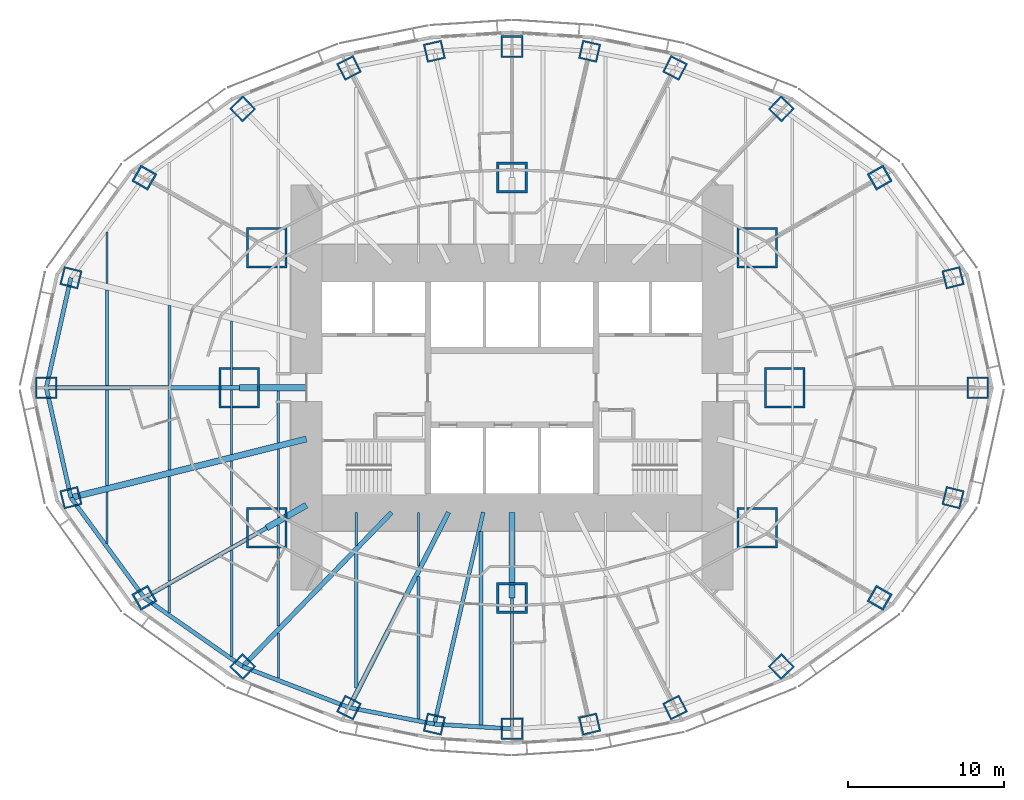
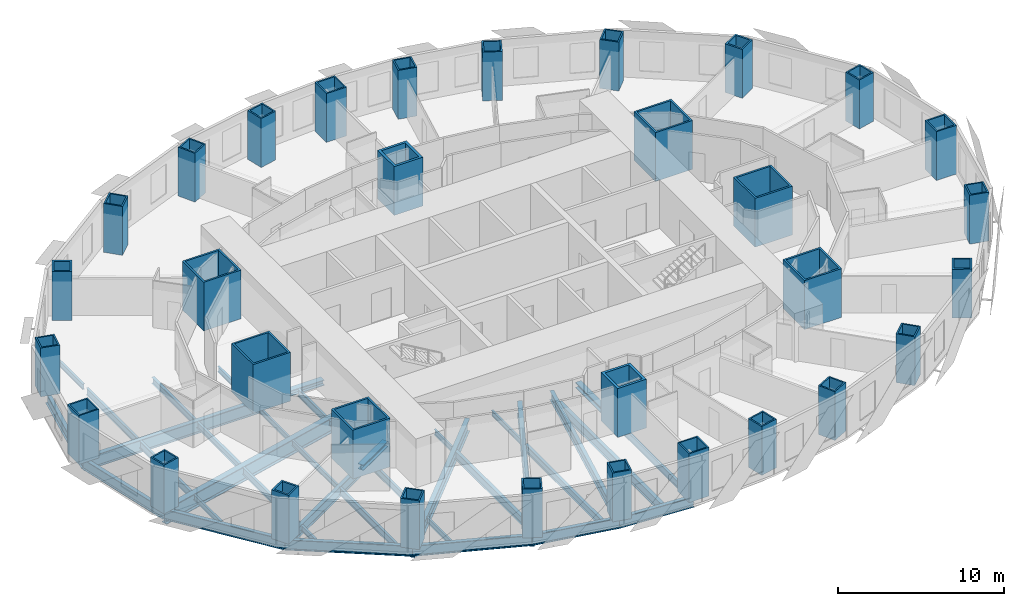
# One storey, part 1 of 15: 38 beams, 32 columns.
"""IFC4 building model written with IfcOpenShell, lengths in metres."""

from ifc_helpers import new_model, si_unit, direction, frame, origin, origin_2d, place, context, subcontext, project, spatial, rectangle, hollow_rectangle, i_section, extrude, material, material_profile, profile_set, type_object, element, save


model = new_model("IFC4")

# Units and contexts
model_context = context("Model", 3, precision=1e-05, world=origin(), true_north=direction((0.0, 1.0)))
body_context = subcontext(model_context, "Body", "Model", "MODEL_VIEW")
ifc_project = project(units=[si_unit("LENGTHUNIT", "METRE"), si_unit("AREAUNIT", "SQUARE_METRE"), si_unit("VOLUMEUNIT", "CUBIC_METRE"), si_unit("PLANEANGLEUNIT", "RADIAN"), si_unit("MASSUNIT", "GRAM", prefix="KILO")], contexts=[model_context])

# Site, building, storey
site_placement = place(None, origin())
site = spatial("IfcSite", under=ifc_project, at=site_placement, CompositionType="ELEMENT")
building_placement = place(site_placement, origin())
building = spatial("IfcBuilding", under=site, at=building_placement, Name="Lantaw Convention Tower", CompositionType="ELEMENT")
storey_placement = place(building_placement, frame((0.0, 0.0, 76.60009765625)))
storey = spatial("IfcBuildingStorey", under=building, at=storey_placement, Name="L17", CompositionType="ELEMENT", Elevation=76.60009765625)

# Columns
ifc_material_1 = material(Name="Steel EN 10025-3 S460N", Category="steel")
ifc_material_profile_1 = material_profile(ifc_material_1, hollow_rectangle(XDim=2.0, YDim=2.0, WallThickness=0.169921875, at=origin_2d()), Name="BOX2000X170")
ifc_material_2 = material(Name="Concrete C60/75", Category="concrete")
ifc_material_profile_2 = material_profile(ifc_material_2, rectangle(XDim=1.659912109375, YDim=1.659912109375, at=origin_2d()), Name="Concrete fill of BOX2000X170")
ifc_profile_set_1 = profile_set([ifc_material_profile_1, ifc_material_profile_2], Name="Steel EN 10025-3 S460N")
column_type_1 = type_object("IfcColumnType", Name="Column MC BOX2000X170", PredefinedType="COLUMN", material=ifc_profile_set_1)
for number, where, z_axis, x_axis, name in (
    (1, (0.0, 13.5, 0.0), (0.0, 0.0, 1.0), (1.0, 0.0, 0.0), "Mega column M3"),
    (2, (0.0, -13.5, 0.0), (0.0, 0.0, 1.0), (1.0, 0.0, 0.0), "Mega column M7"),
):
    element("IfcColumn", number, at=place(storey_placement, frame(where, z_axis=z_axis, x_axis=x_axis)), inside=storey, type_object=column_type_1, Name=name, PredefinedType="COLUMN", context=body_context, shape_type="SweptSolid", body=[
        extrude(hollow_rectangle(XDim=2.0, YDim=2.0, WallThickness=0.169921875, at=origin_2d()), origin(), (0.0, 0.0, 1.0), 3.599853515625),
    ])
ifc_material_profile_3 = material_profile(ifc_material_1, hollow_rectangle(XDim=2.60009765625, YDim=2.60009765625, WallThickness=0.1298828125, at=origin_2d()), Name="BOX2600X130")
ifc_material_profile_4 = material_profile(ifc_material_2, rectangle(XDim=2.340087890625, YDim=2.340087890625, at=origin_2d()), Name="Concrete fill of BOX2600X130")
ifc_profile_set_2 = profile_set([ifc_material_profile_3, ifc_material_profile_4], Name="Steel EN 10025-3 S460N")
column_type_2 = type_object("IfcColumnType", Name="Column MC BOX2600X130", PredefinedType="COLUMN", material=ifc_profile_set_2)
for number, where, z_axis, x_axis, name in (
    (3, (17.5, 0.0, 0.0), (0.0, 0.0, 1.0), (1.0, 0.0, 0.0), "Mega column M1"),
    (4, (15.75, 9.0, 0.0), (0.0, 0.0, 1.0), (1.0, 0.0, 0.0), "Mega column M2"),
    (5, (-15.75, 9.0, 0.0), (0.0, 0.0, 1.0), (1.0, 0.0, 0.0), "Mega column M4"),
    (6, (-17.5, 0.0, 0.0), (0.0, 0.0, 1.0), (1.0, 0.0, 0.0), "Mega column M5"),
    (7, (-15.75, -9.0, 0.0), (0.0, 0.0, 1.0), (1.0, 0.0, 0.0), "Mega column M6"),
    (8, (15.75, -9.0, 0.0), (0.0, 0.0, 1.0), (1.0, 0.0, 0.0), "Mega column M8"),
):
    element("IfcColumn", number, at=place(storey_placement, frame(where, z_axis=z_axis, x_axis=x_axis)), inside=storey, type_object=column_type_2, Name=name, PredefinedType="COLUMN", context=body_context, shape_type="SweptSolid", body=[
        extrude(hollow_rectangle(XDim=2.60009765625, YDim=2.60009765625, WallThickness=0.1298828125, at=origin_2d()), origin(), (0.0, 0.0, 1.0), 3.599853515625),
    ])
ifc_material_profile_5 = material_profile(ifc_material_1, hollow_rectangle(XDim=1.199951171875, YDim=1.199951171875, WallThickness=0.10009765625, at=origin_2d()), Name="BOX1200X100")
ifc_material_profile_6 = material_profile(ifc_material_2, rectangle(XDim=1.0, YDim=1.0, at=origin_2d()), Name="Concrete fill of BOX1200X100")
ifc_profile_set_3 = profile_set([ifc_material_profile_5, ifc_material_profile_6], Name="Steel EN 10025-3 S460N")
column_type_3 = type_object("IfcColumnType", Name="Column PC BOX1200X100", PredefinedType="COLUMN", material=ifc_profile_set_3)
for number, where, z_axis, x_axis, name in (
    (9, (28.31787109375, 7.060302734375, 0.0), (0.0, 0.0, 1.0), (0.970295726276, 0.2419218956, 0.0), "Perimeter column P2"),
    (10, (17.290771484375, 17.9052734375, 0.0), (0.0, 0.0, 1.0), (0.694658370459, 0.719339800339, 0.0), "Perimeter column P4"),
    (11, (10.462646484375, 20.533935546875, 0.0), (0.0, 0.0, 1.0), (0.45399049974, 0.891006524188, 0.0), "Perimeter column P5"),
    (12, (4.986328125, 21.59814453125, 0.0), (0.0, 0.0, 1.0), (0.224951054344, 0.974370064785, 0.0), "Perimeter column P6"),
    (13, (-4.986328125, 21.59814453125, 0.0), (0.0, 0.0, 1.0), (0.974370064785, 0.224951054344, 0.0), "Perimeter column P8"),
    (14, (-10.462646484375, 20.533935546875, 0.0), (0.0, 0.0, 1.0), (0.891006524188, 0.45399049974, 0.0), "Perimeter column P9"),
    (15, (-17.290771484375, 17.9052734375, 0.0), (0.0, 0.0, 1.0), (0.719339800339, 0.694658370459, 0.0), "Perimeter column P10"),
    (16, (-28.31787109375, 7.060302734375, 0.0), (0.0, 0.0, 1.0), (0.2419218956, 0.970295726276, 0.0), "Perimeter column P12"),
    (17, (-28.31787109375, -7.060302734375, 0.0), (0.0, 0.0, 1.0), (0.970295726276, 0.2419218956, 0.0), "Perimeter column P14"),
    (18, (-17.290771484375, -17.9052734375, 0.0), (0.0, 0.0, 1.0), (0.694658370459, 0.719339800339, 0.0), "Perimeter column P16"),
    (19, (-10.462646484375, -20.533935546875, 0.0), (0.0, 0.0, 1.0), (0.45399049974, 0.891006524188, 0.0), "Perimeter column P17"),
    (20, (-4.986328125, -21.59814453125, 0.0), (0.0, 0.0, 1.0), (0.224951054344, 0.974370064785, 0.0), "Perimeter column P18"),
    (21, (4.986328125, -21.59814453125, 0.0), (0.0, 0.0, 1.0), (0.974370064785, 0.224951054344, 0.0), "Perimeter column P20"),
    (22, (10.462646484375, -20.533935546875, 0.0), (0.0, 0.0, 1.0), (0.891006524188, 0.45399049974, 0.0), "Perimeter column P21"),
    (23, (17.290771484375, -17.9052734375, 0.0), (0.0, 0.0, 1.0), (0.719339800339, 0.694658370459, 0.0), "Perimeter column P22"),
    (24, (28.31787109375, -7.060302734375, 0.0), (0.0, 0.0, 1.0), (0.2419218956, 0.970295726276, 0.0), "Perimeter column P24"),
):
    element("IfcColumn", number, at=place(storey_placement, frame(where, z_axis=z_axis, x_axis=x_axis)), inside=storey, type_object=column_type_3, Name=name, PredefinedType="COLUMN", context=body_context, shape_type="SweptSolid", body=[
        extrude(hollow_rectangle(XDim=1.199951171875, YDim=1.199951171875, WallThickness=0.10009765625, at=origin_2d()), origin(), (0.0, 0.0, 1.0), 3.599853515625),
    ])
ifc_material_profile_7 = material_profile(ifc_material_1, hollow_rectangle(XDim=1.199951171875, YDim=1.199951171875, WallThickness=0.1201171875, at=origin_2d()), Name="BOX1200X120")
ifc_material_profile_8 = material_profile(ifc_material_2, rectangle(XDim=0.9599609375, YDim=0.9599609375, at=origin_2d()), Name="Concrete fill of BOX1200X120")
ifc_profile_set_4 = profile_set([ifc_material_profile_7, ifc_material_profile_8], Name="Steel EN 10025-3 S460N")
column_type_4 = type_object("IfcColumnType", Name="Column PC BOX1200X120", PredefinedType="COLUMN", material=ifc_profile_set_4)
for number, where, z_axis, x_axis, name in (
    (25, (23.60498046875, 13.488525390625, 0.0), (0.0, 0.0, 1.0), (0.86824298017, 0.496139221777, 0.0), "Perimeter column P3"),
    (26, (-23.60498046875, 13.488525390625, 0.0), (0.0, 0.0, 1.0), (0.496139221777, 0.86824298017, 0.0), "Perimeter column P11"),
    (27, (-23.60498046875, -13.488525390625, 0.0), (0.0, 0.0, 1.0), (0.86824298017, 0.496139221777, 0.0), "Perimeter column P15"),
    (28, (23.60498046875, -13.488525390625, 0.0), (0.0, 0.0, 1.0), (0.496139221777, 0.86824298017, 0.0), "Perimeter column P23"),
):
    element("IfcColumn", number, at=place(storey_placement, frame(where, z_axis=z_axis, x_axis=x_axis)), inside=storey, type_object=column_type_4, Name=name, PredefinedType="COLUMN", context=body_context, shape_type="SweptSolid", body=[
        extrude(hollow_rectangle(XDim=1.199951171875, YDim=1.199951171875, WallThickness=0.1201171875, at=origin_2d()), origin(), (0.0, 0.0, 1.0), 3.599853515625),
    ])
ifc_material_profile_9 = material_profile(ifc_material_1, hollow_rectangle(XDim=1.39990234375, YDim=1.39990234375, WallThickness=0.10009765625, at=origin_2d()), Name="BOX1400X100")
ifc_material_profile_10 = material_profile(ifc_material_2, rectangle(XDim=1.199951171875, YDim=1.199951171875, at=origin_2d()), Name="Concrete fill of BOX1400X100")
ifc_profile_set_5 = profile_set([ifc_material_profile_9, ifc_material_profile_10], Name="Steel EN 10025-3 S460N")
column_type_5 = type_object("IfcColumnType", Name="Column PC BOX1400X100", PredefinedType="COLUMN", material=ifc_profile_set_5)
for number, where, z_axis, x_axis, name in (
    (29, (29.89990234375, 0.0, 0.0), (0.0, 0.0, 1.0), (1.0, 0.0, 0.0), "Perimeter column P1"),
    (30, (0.0, 21.89990234375, 0.0), (0.0, 0.0, 1.0), (1.0, 0.0, 0.0), "Perimeter column P7"),
    (31, (-29.89990234375, 0.0, 0.0), (0.0, 0.0, 1.0), (1.0, 0.0, 0.0), "Perimeter column P13"),
    (32, (0.0, -21.89990234375, 0.0), (0.0, 0.0, 1.0), (1.0, 0.0, 0.0), "Perimeter column P19"),
):
    element("IfcColumn", number, at=place(storey_placement, frame(where, z_axis=z_axis, x_axis=x_axis)), inside=storey, type_object=column_type_5, Name=name, PredefinedType="COLUMN", context=body_context, shape_type="SweptSolid", body=[
        extrude(hollow_rectangle(XDim=1.39990234375, YDim=1.39990234375, WallThickness=0.10009765625, at=origin_2d()), origin(), (0.0, 0.0, 1.0), 3.599853515625),
    ])

# Beams
ifc_material_3 = material(Name="Steel ASTM A992", Category="steel")
ifc_material_profile_11 = material_profile(ifc_material_3, i_section(OverallWidth=0.2666015625, OverallDepth=0.76953125, WebThickness=0.015625, FlangeThickness=0.025390625, FilletRadius=0.0126953125, at=origin_2d()), Name="W30X132")
ifc_profile_set_6 = profile_set([ifc_material_profile_11], Name="Steel ASTM A992")
beam_type_1 = type_object("IfcBeamType", Name="Beam E W30X132", PredefinedType="SPANDREL", material=ifc_profile_set_6)
for number, where, z_axis, x_axis, name in (
    (33, (-28.31787109375, 7.060302734375, -0.534912109375), (-0.218652184873, -0.975802860239, 0.0), (0.975802860239, -0.218652184873, 0.0), "Edge beam 12"),
    (34, (-29.89990234375, 0.0, -0.534912109375), (0.218652184873, -0.975802860239, 0.0), (0.975802860239, 0.218652184873, 0.0), "Edge beam 13"),
):
    element("IfcBeam", number, at=place(storey_placement, frame(where, z_axis=z_axis, x_axis=x_axis)), inside=storey, type_object=beam_type_1, Name=name, PredefinedType="SPANDREL", context=body_context, shape_type="SweptSolid", body=[
        extrude(i_section(OverallWidth=0.2666015625, OverallDepth=0.76953125, WebThickness=0.015625, FlangeThickness=0.025390625, FilletRadius=0.0126953125, at=origin_2d()), origin(), (0.0, 0.0, 1.0), 7.2353515625),
    ])
beam_1_placement = place(storey_placement, frame((-28.31787109375, -7.060302734375, -0.534912109375), z_axis=(0.591270709086, -0.806473154281, 0.0), x_axis=(0.806473154281, 0.591270709086, 0.0)))
element("IfcBeam", 35, at=beam_1_placement, inside=storey, type_object=beam_type_1, Name="Edge beam 14", PredefinedType="SPANDREL", context=body_context, shape_type="SweptSolid", body=[
    extrude(i_section(OverallWidth=0.2666015625, OverallDepth=0.76953125, WebThickness=0.015625, FlangeThickness=0.025390625, FilletRadius=0.0126953125, at=origin_2d()), origin(), (0.0, 0.0, 1.0), 7.970703125),
])
beam_2_placement = place(storey_placement, frame((-23.60498046875, -13.488525390625, -0.534912109375), z_axis=(0.81942686407, -0.57318375277, 0.0), x_axis=(0.57318375277, 0.81942686407, 0.0)))
element("IfcBeam", 36, at=beam_2_placement, inside=storey, type_object=beam_type_1, Name="Edge beam 15", PredefinedType="SPANDREL", context=body_context, shape_type="SweptSolid", body=[
    extrude(i_section(OverallWidth=0.2666015625, OverallDepth=0.76953125, WebThickness=0.015625, FlangeThickness=0.025390625, FilletRadius=0.0126953125, at=origin_2d()), origin(), (0.0, 0.0, 1.0), 7.70556640625),
])
beam_3_placement = place(storey_placement, frame((-17.290771484375, -17.9052734375, -0.534912109375), z_axis=(0.933232900641, -0.359271976588, 0.0), x_axis=(0.359271976588, 0.933232900641, 0.0)))
element("IfcBeam", 37, at=beam_3_placement, inside=storey, type_object=beam_type_1, Name="Edge beam 16", PredefinedType="SPANDREL", context=body_context, shape_type="SweptSolid", body=[
    extrude(i_section(OverallWidth=0.2666015625, OverallDepth=0.76953125, WebThickness=0.015625, FlangeThickness=0.025390625, FilletRadius=0.0126953125, at=origin_2d()), origin(), (0.0, 0.0, 1.0), 7.316650390625),
])
beam_4_placement = place(storey_placement, frame((-10.462646484375, -20.533935546875, -0.534912109375), z_axis=(0.981636565323, -0.190760723474, 0.0), x_axis=(0.190760723474, 0.981636565323, 0.0)))
element("IfcBeam", 38, at=beam_4_placement, inside=storey, type_object=beam_type_1, Name="Edge beam 17", PredefinedType="SPANDREL", context=body_context, shape_type="SweptSolid", body=[
    extrude(i_section(OverallWidth=0.2666015625, OverallDepth=0.76953125, WebThickness=0.015625, FlangeThickness=0.025390625, FilletRadius=0.0126953125, at=origin_2d()), origin(), (0.0, 0.0, 1.0), 5.578857421875),
])
beam_5_placement = place(storey_placement, frame((-4.986328125, -21.59814453125, -0.534912109375), z_axis=(0.998173858406, -0.060406526096, 0.0), x_axis=(0.060406526096, 0.998173858406, 0.0)))
element("IfcBeam", 39, at=beam_5_placement, inside=storey, type_object=beam_type_1, Name="Edge beam 18", PredefinedType="SPANDREL", context=body_context, shape_type="SweptSolid", body=[
    extrude(i_section(OverallWidth=0.2666015625, OverallDepth=0.76953125, WebThickness=0.015625, FlangeThickness=0.025390625, FilletRadius=0.0126953125, at=origin_2d()), origin(), (0.0, 0.0, 1.0), 4.995361328125),
])
ifc_material_profile_12 = material_profile(ifc_material_3, i_section(OverallWidth=0.1650390625, OverallDepth=0.52587890625, WebThickness=0.0087890625, FlangeThickness=0.011474609375, FilletRadius=0.0126953125, at=origin_2d()), Name="W21X44")
ifc_profile_set_7 = profile_set([ifc_material_profile_12], Name="Steel ASTM A992")
beam_type_2 = type_object("IfcBeamType", Name="Beam G W21X44", PredefinedType="BEAM", material=ifc_profile_set_7)
beam_6_placement = place(storey_placement, frame((0.0, -13.5, -0.4130859375), z_axis=(0.0, -1.0, 0.0), x_axis=(1.0, 0.0, 0.0)))
element("IfcBeam", 40, at=beam_6_placement, inside=storey, type_object=beam_type_2, Name="Floor girder on ray 19", PredefinedType="BEAM", context=body_context, shape_type="SweptSolid", body=[
    extrude(i_section(OverallWidth=0.1650390625, OverallDepth=0.52587890625, WebThickness=0.0087890625, FlangeThickness=0.011474609375, FilletRadius=0.0126953125, at=origin_2d()), origin(), (0.0, 0.0, 1.0), 8.39990234375),
])
ifc_material_profile_13 = material_profile(ifc_material_3, i_section(OverallWidth=0.25390625, OverallDepth=0.683349609375, WebThickness=0.012451171875, FlangeThickness=0.01904296875, FilletRadius=0.01513671875, at=origin_2d()), Name="W27X94")
ifc_profile_set_8 = profile_set([ifc_material_profile_13], Name="Steel ASTM A992")
beam_type_3 = type_object("IfcBeamType", Name="Beam G W27X94", PredefinedType="BEAM", material=ifc_profile_set_8)
beam_7_placement = place(storey_placement, frame((-1.846923828125, -8.0, -0.49169921875), z_axis=(-0.224952773175, -0.97436966796, 0.0), x_axis=(0.97436966796, -0.224952773175, 0.0)))
element("IfcBeam", 41, at=beam_7_placement, inside=storey, type_object=beam_type_3, Name="Floor girder on ray 18", PredefinedType="BEAM", context=body_context, shape_type="SweptSolid", body=[
    extrude(i_section(OverallWidth=0.25390625, OverallDepth=0.683349609375, WebThickness=0.012451171875, FlangeThickness=0.01904296875, FilletRadius=0.01513671875, at=origin_2d()), origin(), (0.0, 0.0, 1.0), 13.955810546875),
])
ifc_material_profile_14 = material_profile(ifc_material_3, i_section(OverallWidth=0.2666015625, OverallDepth=0.7568359375, WebThickness=0.013916015625, FlangeThickness=0.019287109375, FilletRadius=0.0126953125, at=origin_2d()), Name="W30X108")
ifc_profile_set_9 = profile_set([ifc_material_profile_14], Name="Steel ASTM A992")
beam_type_4 = type_object("IfcBeamType", Name="Beam G W30X108", PredefinedType="BEAM", material=ifc_profile_set_9)
beam_8_placement = place(storey_placement, frame((-15.75, -9.0, -0.528564453125), z_axis=(-0.868244802791, -0.496136032179, 0.0), x_axis=(0.496136032179, -0.868244802791, 0.0)))
element("IfcBeam", 42, at=beam_8_placement, inside=storey, type_object=beam_type_4, Name="Floor girder on ray 15", PredefinedType="BEAM", context=body_context, shape_type="SweptSolid", body=[
    extrude(i_section(OverallWidth=0.2666015625, OverallDepth=0.7568359375, WebThickness=0.013916015625, FlangeThickness=0.019287109375, FilletRadius=0.0126953125, at=origin_2d()), origin(), (0.0, 0.0, 1.0), 9.046875),
])
ifc_material_profile_15 = material_profile(ifc_material_3, i_section(OverallWidth=0.307373046875, OverallDepth=0.922119140625, WebThickness=0.018310546875, FlangeThickness=0.030029296875, FilletRadius=0.0126953125, at=origin_2d()), Name="W36X182")
ifc_profile_set_10 = profile_set([ifc_material_profile_15], Name="Steel ASTM A992")
beam_type_5 = type_object("IfcBeamType", Name="Beam G W36X182", PredefinedType="BEAM", material=ifc_profile_set_10)
beam_9_placement = place(storey_placement, frame((-17.5, 0.0, -0.611083984375), z_axis=(-1.0, 0.0, 0.0), x_axis=(0.0, -1.0, 0.0)))
element("IfcBeam", 43, at=beam_9_placement, inside=storey, type_object=beam_type_5, Name="Floor girder on ray 13", PredefinedType="BEAM", context=body_context, shape_type="SweptSolid", body=[
    extrude(i_section(OverallWidth=0.307373046875, OverallDepth=0.922119140625, WebThickness=0.018310546875, FlangeThickness=0.030029296875, FilletRadius=0.0126953125, at=origin_2d()), origin(), (0.0, 0.0, 1.0), 12.39990234375),
])
beam_10_placement = place(storey_placement, frame((-7.7255859375, -8.0, -0.611083984375), z_axis=(-0.694649884291, -0.719347995239, 0.0), x_axis=(0.719347995239, -0.694649884291, 0.0)))
element("IfcBeam", 44, at=beam_10_placement, inside=storey, type_object=beam_type_5, Name="Floor girder on ray 16", PredefinedType="BEAM", context=body_context, shape_type="SweptSolid", body=[
    extrude(i_section(OverallWidth=0.307373046875, OverallDepth=0.922119140625, WebThickness=0.018310546875, FlangeThickness=0.030029296875, FilletRadius=0.0126953125, at=origin_2d()), origin(), (0.0, 0.0, 1.0), 13.769775390625),
])
beam_11_placement = place(storey_placement, frame((-4.076171875, -8.0, -0.611083984375), z_axis=(-0.453997016122, -0.891003203896, 0.0), x_axis=(0.891003203896, -0.453997016122, 0.0)))
element("IfcBeam", 45, at=beam_11_placement, inside=storey, type_object=beam_type_5, Name="Floor girder on ray 17", PredefinedType="BEAM", context=body_context, shape_type="SweptSolid", body=[
    extrude(i_section(OverallWidth=0.307373046875, OverallDepth=0.922119140625, WebThickness=0.018310546875, FlangeThickness=0.030029296875, FilletRadius=0.0126953125, at=origin_2d()), origin(), (0.0, 0.0, 1.0), 14.067138671875),
])
ifc_material_profile_16 = material_profile(ifc_material_3, i_section(OverallWidth=0.40380859375, OverallDepth=1.11767578125, WebThickness=0.026123046875, FlangeThickness=0.044921875, FilletRadius=0.02001953125, at=origin_2d()), Name="W44X335")
ifc_profile_set_11 = profile_set([ifc_material_profile_16], Name="Steel ASTM A992")
beam_type_6 = type_object("IfcBeamType", Name="Beam G W44X335", PredefinedType="BEAM", material=ifc_profile_set_11)
beam_12_placement = place(storey_placement, frame((-13.199951171875, -3.291015625, -0.708984375), z_axis=(-0.970296233567, -0.241919860957, 0.0), x_axis=(0.241919860957, -0.970296233567, 0.0)))
element("IfcBeam", 46, at=beam_12_placement, inside=storey, type_object=beam_type_6, Name="Floor girder on ray 14", PredefinedType="BEAM", context=body_context, shape_type="SweptSolid", body=[
    extrude(i_section(OverallWidth=0.40380859375, OverallDepth=1.11767578125, WebThickness=0.026123046875, FlangeThickness=0.044921875, FilletRadius=0.02001953125, at=origin_2d()), origin(), (0.0, 0.0, 1.0), 15.580810546875),
])
ifc_material_profile_17 = material_profile(ifc_material_3, i_section(OverallWidth=0.40380859375, OverallDepth=0.406494140625, WebThickness=0.027099609375, FlangeThickness=0.043701171875, FilletRadius=0.01513671875, at=origin_2d()), Name="W14X233")
ifc_profile_set_12 = profile_set([ifc_material_profile_17], Name="Steel ASTM A992")
beam_type_7 = type_object("IfcBeamType", Name="Beam GM W14X233", PredefinedType="BEAM", material=ifc_profile_set_12)
beam_13_placement = place(storey_placement, frame((-13.199951171875, 0.0, -0.353271484375), z_axis=(-1.0, 0.0, 0.0), x_axis=(0.0, -1.0, 0.0)))
element("IfcBeam", 47, at=beam_13_placement, inside=storey, type_object=beam_type_7, Name="Core link beam on ray 13", PredefinedType="BEAM", context=body_context, shape_type="SweptSolid", body=[
    extrude(i_section(OverallWidth=0.40380859375, OverallDepth=0.406494140625, WebThickness=0.027099609375, FlangeThickness=0.043701171875, FilletRadius=0.01513671875, at=origin_2d()), origin(), (0.0, 0.0, 1.0), 4.300048828125),
])
beam_14_placement = place(storey_placement, frame((-13.199951171875, -7.54296875, -0.353271484375), z_axis=(-0.868263603466, -0.496103129295, 0.0), x_axis=(0.496103129295, -0.868263603466, 0.0)))
element("IfcBeam", 48, at=beam_14_placement, inside=storey, type_object=beam_type_7, Name="Core link beam on ray 15", PredefinedType="BEAM", context=body_context, shape_type="SweptSolid", body=[
    extrude(i_section(OverallWidth=0.40380859375, OverallDepth=0.406494140625, WebThickness=0.027099609375, FlangeThickness=0.043701171875, FilletRadius=0.01513671875, at=origin_2d()), origin(), (0.0, 0.0, 1.0), 2.93701171875),
])
beam_15_placement = place(storey_placement, frame((0.0, -8.0, -0.353271484375), z_axis=(0.0, -1.0, 0.0), x_axis=(1.0, 0.0, 0.0)))
element("IfcBeam", 49, at=beam_15_placement, inside=storey, type_object=beam_type_7, Name="Core link beam on ray 19", PredefinedType="BEAM", context=body_context, shape_type="SweptSolid", body=[
    extrude(i_section(OverallWidth=0.40380859375, OverallDepth=0.406494140625, WebThickness=0.027099609375, FlangeThickness=0.043701171875, FilletRadius=0.01513671875, at=origin_2d()), origin(), (0.0, 0.0, 1.0), 5.5),
])
ifc_material_profile_18 = material_profile(ifc_material_3, i_section(OverallWidth=0.140380859375, OverallDepth=0.40380859375, WebThickness=0.007080078125, FlangeThickness=0.01123046875, FilletRadius=0.01025390625, at=origin_2d()), Name="W16X31")
ifc_profile_set_13 = profile_set([ifc_material_profile_18], Name="Steel ASTM A992")
beam_type_8 = type_object("IfcBeamType", Name="Beam J W16X31", PredefinedType="JOIST", material=ifc_profile_set_13)
for number, where, z_axis, x_axis, name in (
    (50, (-26.0, -9.996337890625, -0.35205078125), (0.0, 1.0, 0.0), (-1.0, 0.0, 0.0), "Floor joist"),
    (51, (-26.0, 6.690673828125, -0.35205078125), (0.0, 1.0, 0.0), (-1.0, 0.0, 0.0), "Floor joist"),
):
    element("IfcBeam", number, at=place(storey_placement, frame(where, z_axis=z_axis, x_axis=x_axis)), inside=storey, type_object=beam_type_8, Name=name, PredefinedType="JOIST", context=body_context, shape_type="SweptSolid", body=[
        extrude(i_section(OverallWidth=0.140380859375, OverallDepth=0.40380859375, WebThickness=0.007080078125, FlangeThickness=0.01123046875, FilletRadius=0.01025390625, at=origin_2d()), origin(), (0.0, 0.0, 1.0), 3.3056640625),
    ])
beam_16_placement = place(storey_placement, frame((-22.0, -14.448486328125, -0.35205078125), z_axis=(0.0, 1.0, 0.0), x_axis=(-1.0, 0.0, 0.0)))
element("IfcBeam", 52, at=beam_16_placement, inside=storey, type_object=beam_type_8, Name="Floor joist", PredefinedType="JOIST", context=body_context, shape_type="SweptSolid", body=[
    extrude(i_section(OverallWidth=0.140380859375, OverallDepth=0.40380859375, WebThickness=0.007080078125, FlangeThickness=0.01123046875, FilletRadius=0.01025390625, at=origin_2d()), origin(), (0.0, 0.0, 1.0), 1.723388671875),
])
beam_17_placement = place(storey_placement, frame((-18.0, -10.132080078125, -0.35205078125), z_axis=(0.0, 1.0, 0.0), x_axis=(-1.0, 0.0, 0.0)))
element("IfcBeam", 53, at=beam_17_placement, inside=storey, type_object=beam_type_8, Name="Floor joist", PredefinedType="JOIST", context=body_context, shape_type="SweptSolid", body=[
    extrude(i_section(OverallWidth=0.140380859375, OverallDepth=0.40380859375, WebThickness=0.007080078125, FlangeThickness=0.01123046875, FilletRadius=0.01025390625, at=origin_2d()), origin(), (0.0, 0.0, 1.0), 5.43603515625),
])
for number, where, z_axis, x_axis, name in (
    (54, (-18.0, -4.27978515625, -0.35205078125), (0.0, 1.0, 0.0), (-1.0, 0.0, 0.0), "Floor joist"),
    (55, (-18.0, 0.153564453125, -0.35205078125), (0.0, 1.0, 0.0), (-1.0, 0.0, 0.0), "Floor joist"),
):
    element("IfcBeam", number, at=place(storey_placement, frame(where, z_axis=z_axis, x_axis=x_axis)), inside=storey, type_object=beam_type_8, Name=name, PredefinedType="JOIST", context=body_context, shape_type="SweptSolid", body=[
        extrude(i_section(OverallWidth=0.140380859375, OverallDepth=0.40380859375, WebThickness=0.007080078125, FlangeThickness=0.01123046875, FilletRadius=0.01025390625, at=origin_2d()), origin(), (0.0, 0.0, 1.0), 4.126220703125),
    ])
beam_18_placement = place(storey_placement, frame((-15.0, -18.644287109375, -0.35205078125), z_axis=(0.0, 1.0, 0.0), x_axis=(-1.0, 0.0, 0.0)))
element("IfcBeam", 56, at=beam_18_placement, inside=storey, type_object=beam_type_8, Name="Floor joist", PredefinedType="JOIST", context=body_context, shape_type="SweptSolid", body=[
    extrude(i_section(OverallWidth=0.140380859375, OverallDepth=0.40380859375, WebThickness=0.007080078125, FlangeThickness=0.01123046875, FilletRadius=0.01025390625, at=origin_2d()), origin(), (0.0, 0.0, 1.0), 2.89013671875),
])
beam_19_placement = place(storey_placement, frame((-15.0, -8.3388671875, -0.35205078125), z_axis=(0.0, 1.0, 0.0), x_axis=(-1.0, 0.0, 0.0)))
element("IfcBeam", 57, at=beam_19_placement, inside=storey, type_object=beam_type_8, Name="Floor joist", PredefinedType="JOIST", context=body_context, shape_type="SweptSolid", body=[
    extrude(i_section(OverallWidth=0.140380859375, OverallDepth=0.40380859375, WebThickness=0.007080078125, FlangeThickness=0.01123046875, FilletRadius=0.01025390625, at=origin_2d()), origin(), (0.0, 0.0, 1.0), 4.390869140625),
])
beam_20_placement = place(storey_placement, frame((-10.0, -10.134033203125, -0.35205078125), z_axis=(0.0, 1.0, 0.0), x_axis=(-1.0, 0.0, 0.0)))
element("IfcBeam", 58, at=beam_20_placement, inside=storey, type_object=beam_type_8, Name="Floor joist", PredefinedType="JOIST", context=body_context, shape_type="SweptSolid", body=[
    extrude(i_section(OverallWidth=0.140380859375, OverallDepth=0.40380859375, WebThickness=0.007080078125, FlangeThickness=0.01123046875, FilletRadius=0.01025390625, at=origin_2d()), origin(), (0.0, 0.0, 1.0), 2.134033203125),
])
beam_21_placement = place(storey_placement, frame((-6.0, -11.437255859375, -0.35205078125), z_axis=(0.0, 1.0, 0.0), x_axis=(-1.0, 0.0, 0.0)))
element("IfcBeam", 59, at=beam_21_placement, inside=storey, type_object=beam_type_8, Name="Floor joist", PredefinedType="JOIST", context=body_context, shape_type="SweptSolid", body=[
    extrude(i_section(OverallWidth=0.140380859375, OverallDepth=0.40380859375, WebThickness=0.007080078125, FlangeThickness=0.01123046875, FilletRadius=0.01025390625, at=origin_2d()), origin(), (0.0, 0.0, 1.0), 3.437255859375),
])
ifc_material_profile_19 = material_profile(ifc_material_3, i_section(OverallWidth=0.1904296875, OverallDepth=0.457275390625, WebThickness=0.009033203125, FlangeThickness=0.014404296875, FilletRadius=0.01025390625, at=origin_2d()), Name="W18X50")
ifc_profile_set_14 = profile_set([ifc_material_profile_19], Name="Steel ASTM A992")
beam_type_9 = type_object("IfcBeamType", Name="Beam J W18X50", PredefinedType="JOIST", material=ifc_profile_set_14)
for number, where, z_axis, x_axis, name in (
    (60, (-22.0, -5.277099609375, -0.378662109375), (0.0, 1.0, 0.0), (-1.0, 0.0, 0.0), "Floor joist"),
    (61, (-22.0, 0.153564453125, -0.378662109375), (0.0, 1.0, 0.0), (-1.0, 0.0, 0.0), "Floor joist"),
):
    element("IfcBeam", number, at=place(storey_placement, frame(where, z_axis=z_axis, x_axis=x_axis)), inside=storey, type_object=beam_type_9, Name=name, PredefinedType="JOIST", context=body_context, shape_type="SweptSolid", body=[
        extrude(i_section(OverallWidth=0.1904296875, OverallDepth=0.457275390625, WebThickness=0.009033203125, FlangeThickness=0.014404296875, FilletRadius=0.01025390625, at=origin_2d()), origin(), (0.0, 0.0, 1.0), 5.12353515625),
    ])
ifc_material_profile_20 = material_profile(ifc_material_3, i_section(OverallWidth=0.1650390625, OverallDepth=0.52587890625, WebThickness=0.0087890625, FlangeThickness=0.011474609375, FilletRadius=0.0126953125, at=origin_2d()), Name="W21X44")
ifc_profile_set_15 = profile_set([ifc_material_profile_20], Name="Steel ASTM A992")
beam_type_10 = type_object("IfcBeamType", Name="Beam J W21X44", PredefinedType="JOIST", material=ifc_profile_set_15)
beam_22_placement = place(storey_placement, frame((-22.0, -12.41796875, -0.4130859375), z_axis=(0.0, 1.0, 0.0), x_axis=(-1.0, 0.0, 0.0)))
element("IfcBeam", 62, at=beam_22_placement, inside=storey, type_object=beam_type_10, Name="Floor joist", PredefinedType="JOIST", context=body_context, shape_type="SweptSolid", body=[
    extrude(i_section(OverallWidth=0.1650390625, OverallDepth=0.52587890625, WebThickness=0.0087890625, FlangeThickness=0.011474609375, FilletRadius=0.0126953125, at=origin_2d()), origin(), (0.0, 0.0, 1.0), 6.724609375),
])
beam_23_placement = place(storey_placement, frame((-18.0, -17.246337890625, -0.4130859375), z_axis=(0.0, 1.0, 0.0), x_axis=(-1.0, 0.0, 0.0)))
element("IfcBeam", 63, at=beam_23_placement, inside=storey, type_object=beam_type_10, Name="Floor joist", PredefinedType="JOIST", context=body_context, shape_type="SweptSolid", body=[
    extrude(i_section(OverallWidth=0.1650390625, OverallDepth=0.52587890625, WebThickness=0.0087890625, FlangeThickness=0.011474609375, FilletRadius=0.0126953125, at=origin_2d()), origin(), (0.0, 0.0, 1.0), 6.80712890625),
])
beam_24_placement = place(storey_placement, frame((-15.0, -15.311767578125, -0.4130859375), z_axis=(0.0, 1.0, 0.0), x_axis=(-1.0, 0.0, 0.0)))
element("IfcBeam", 64, at=beam_24_placement, inside=storey, type_object=beam_type_10, Name="Floor joist", PredefinedType="JOIST", context=body_context, shape_type="SweptSolid", body=[
    extrude(i_section(OverallWidth=0.1650390625, OverallDepth=0.52587890625, WebThickness=0.0087890625, FlangeThickness=0.011474609375, FilletRadius=0.0126953125, at=origin_2d()), origin(), (0.0, 0.0, 1.0), 6.5078125),
])
ifc_material_profile_21 = material_profile(ifc_material_3, i_section(OverallWidth=0.165771484375, OverallDepth=0.5283203125, WebThickness=0.009765625, FlangeThickness=0.013671875, FilletRadius=0.012939453125, at=origin_2d()), Name="W21X50")
ifc_profile_set_16 = profile_set([ifc_material_profile_21], Name="Steel ASTM A992")
beam_type_11 = type_object("IfcBeamType", Name="Beam J W21X50", PredefinedType="JOIST", material=ifc_profile_set_16)
for number, where, z_axis, x_axis, name in (
    (65, (-26.0, -6.2744140625, -0.414306640625), (0.0, 1.0, 0.0), (-1.0, 0.0, 0.0), "Floor joist"),
    (66, (-26.0, 0.153564453125, -0.414306640625), (0.0, 1.0, 0.0), (-1.0, 0.0, 0.0), "Floor joist"),
):
    element("IfcBeam", number, at=place(storey_placement, frame(where, z_axis=z_axis, x_axis=x_axis)), inside=storey, type_object=beam_type_11, Name=name, PredefinedType="JOIST", context=body_context, shape_type="SweptSolid", body=[
        extrude(i_section(OverallWidth=0.165771484375, OverallDepth=0.5283203125, WebThickness=0.009765625, FlangeThickness=0.013671875, FilletRadius=0.012939453125, at=origin_2d()), origin(), (0.0, 0.0, 1.0), 6.120849609375),
    ])
beam_25_placement = place(storey_placement, frame((-15.0, -3.53173828125, -0.414306640625), z_axis=(0.0, 1.0, 0.0), x_axis=(-1.0, 0.0, 0.0)))
element("IfcBeam", 67, at=beam_25_placement, inside=storey, type_object=beam_type_11, Name="Floor joist", PredefinedType="JOIST", context=body_context, shape_type="SweptSolid", body=[
    extrude(i_section(OverallWidth=0.165771484375, OverallDepth=0.5283203125, WebThickness=0.009765625, FlangeThickness=0.013671875, FilletRadius=0.012939453125, at=origin_2d()), origin(), (0.0, 0.0, 1.0), 3.329833984375),
])
ifc_material_profile_22 = material_profile(ifc_material_3, i_section(OverallWidth=0.2099609375, OverallDepth=0.535888671875, WebThickness=0.010986328125, FlangeThickness=0.017333984375, FilletRadius=0.012939453125, at=origin_2d()), Name="W21X68")
ifc_profile_set_17 = profile_set([ifc_material_profile_22], Name="Steel ASTM A992")
beam_type_12 = type_object("IfcBeamType", Name="Beam J W21X68", PredefinedType="JOIST", material=ifc_profile_set_17)
beam_26_placement = place(storey_placement, frame((-6.0, -21.26513671875, -0.41796875), z_axis=(0.0, 1.0, 0.0), x_axis=(-1.0, 0.0, 0.0)))
element("IfcBeam", 68, at=beam_26_placement, inside=storey, type_object=beam_type_12, Name="Floor joist", PredefinedType="JOIST", context=body_context, shape_type="SweptSolid", body=[
    extrude(i_section(OverallWidth=0.2099609375, OverallDepth=0.535888671875, WebThickness=0.010986328125, FlangeThickness=0.017333984375, FilletRadius=0.012939453125, at=origin_2d()), origin(), (0.0, 0.0, 1.0), 9.15087890625),
])
ifc_material_profile_23 = material_profile(ifc_material_3, i_section(OverallWidth=0.227783203125, OverallDepth=0.60205078125, WebThickness=0.010498046875, FlangeThickness=0.014892578125, FilletRadius=0.012939453125, at=origin_2d()), Name="W24X68")
ifc_profile_set_18 = profile_set([ifc_material_profile_23], Name="Steel ASTM A992")
beam_type_13 = type_object("IfcBeamType", Name="Beam J W24X68", PredefinedType="JOIST", material=ifc_profile_set_18)
beam_27_placement = place(storey_placement, frame((-10.0, -19.28759765625, -0.451171875), z_axis=(0.0, 1.0, 0.0), x_axis=(-1.0, 0.0, 0.0)))
element("IfcBeam", 69, at=beam_27_placement, inside=storey, type_object=beam_type_13, Name="Floor joist", PredefinedType="JOIST", context=body_context, shape_type="SweptSolid", body=[
    extrude(i_section(OverallWidth=0.227783203125, OverallDepth=0.60205078125, WebThickness=0.010498046875, FlangeThickness=0.014892578125, FilletRadius=0.012939453125, at=origin_2d()), origin(), (0.0, 0.0, 1.0), 8.711181640625),
])
ifc_material_profile_24 = material_profile(ifc_material_3, i_section(OverallWidth=0.25390625, OverallDepth=0.700927734375, WebThickness=0.015380859375, FlangeThickness=0.02783203125, FilletRadius=0.01513671875, at=origin_2d()), Name="W27X129")
ifc_profile_set_19 = profile_set([ifc_material_profile_24], Name="Steel ASTM A992")
beam_type_14 = type_object("IfcBeamType", Name="Beam J W27X129", PredefinedType="JOIST", material=ifc_profile_set_19)
beam_28_placement = place(storey_placement, frame((-2.0, -21.645263671875, -0.500732421875), z_axis=(0.0, 1.0, 0.0), x_axis=(-1.0, 0.0, 0.0)))
element("IfcBeam", 70, at=beam_28_placement, inside=storey, type_object=beam_type_14, Name="Floor joist", PredefinedType="JOIST", context=body_context, shape_type="SweptSolid", body=[
    extrude(i_section(OverallWidth=0.25390625, OverallDepth=0.700927734375, WebThickness=0.015380859375, FlangeThickness=0.02783203125, FilletRadius=0.01513671875, at=origin_2d()), origin(), (0.0, 0.0, 1.0), 12.417724609375),
])

save(model, "model.ifc")
